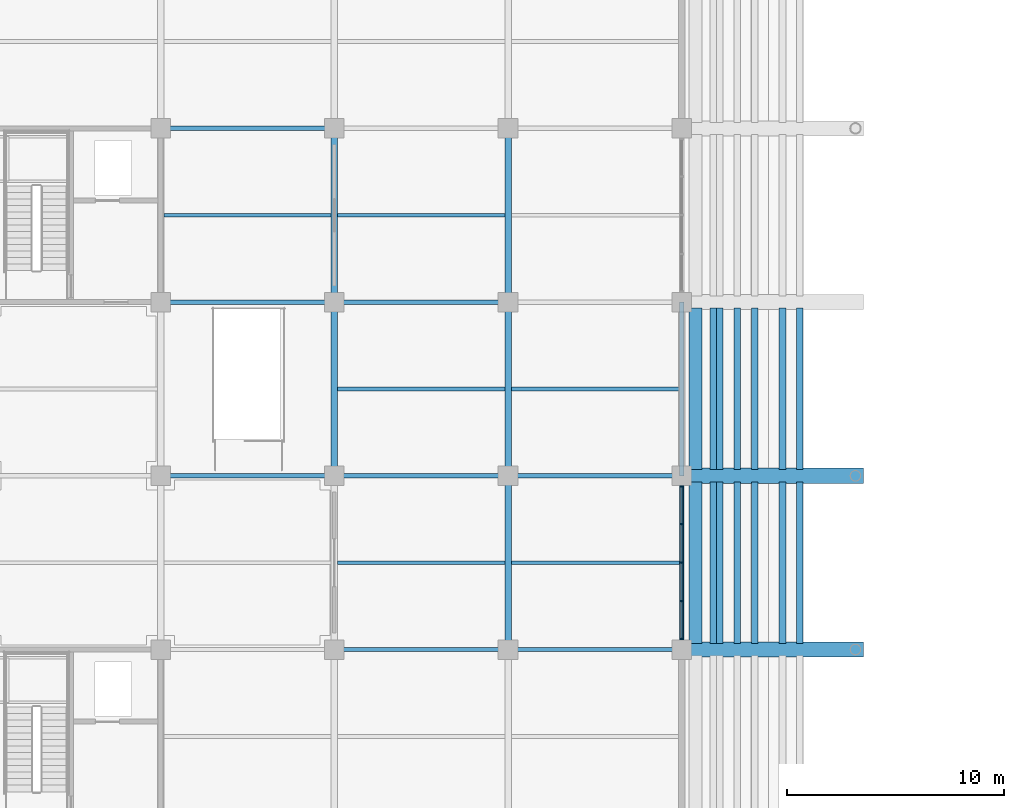
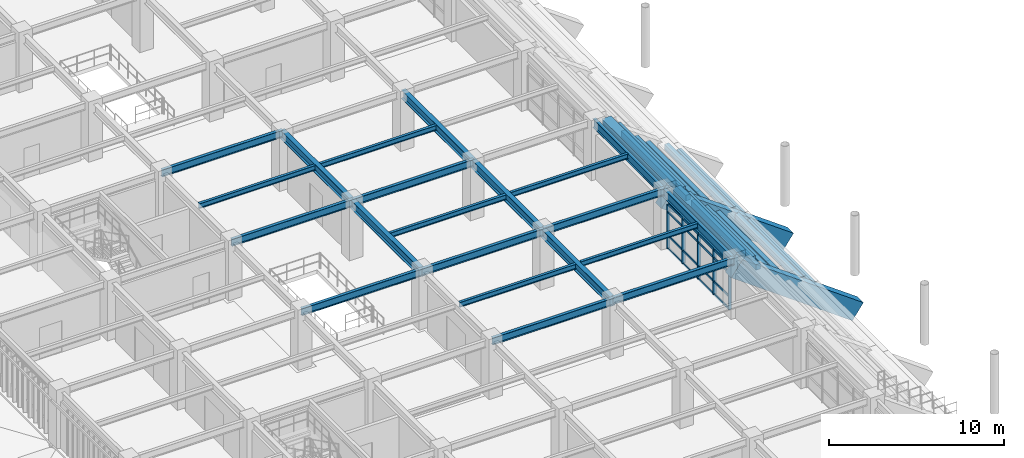
# One storey, part 27 of 118: 37 beams, 21 members, 1 element without a shape of its own.
"""IFC4 building model written with IfcOpenShell, lengths in metres."""

from ifc_helpers import new_model, si_unit, direction, frame, origin, origin_2d, place, context, subcontext, project, spatial, rectangle, i_section, extrude, material, layer, layer_set, material_profile, profile_set, type_object, element, aggregate, save


model = new_model("IFC4")

# Units and contexts
model_context = context("Model", 3, precision=1e-05, world=origin(), true_north=direction((0.0, 1.0)))
body_context = subcontext(model_context, "Body", "Model", "MODEL_VIEW")
ifc_project = project(units=[si_unit("LENGTHUNIT", "METRE"), si_unit("AREAUNIT", "SQUARE_METRE"), si_unit("VOLUMEUNIT", "CUBIC_METRE"), si_unit("PLANEANGLEUNIT", "RADIAN"), si_unit("MASSUNIT", "GRAM", prefix="KILO")], contexts=[model_context])

# Site, building, storey
site_placement = place(None, origin())
site = spatial("IfcSite", under=ifc_project, at=site_placement, CompositionType="ELEMENT")
building_placement = place(site_placement, origin())
building = spatial("IfcBuilding", under=site, at=building_placement, Name="Haebicheon Civic Stadium", CompositionType="ELEMENT")
storey_placement = place(building_placement, frame((0.0, 0.0, 14.39990234375)))
storey = spatial("IfcBuildingStorey", under=building, at=storey_placement, Name="L04", CompositionType="ELEMENT", Elevation=14.39990234375)

# Beams
ifc_material_1 = material(Name="Precast concrete C40/50", Category="concrete")
ifc_material_profile_1 = material_profile(ifc_material_1, rectangle(XDim=0.300048828125, YDim=0.39990234375, at=origin_2d()), Name="PC-LN-300x400")
ifc_profile_set_1 = profile_set([ifc_material_profile_1], Name="Precast concrete C40/50")
beam_type_1 = type_object("IfcBeamType", Name="BM-LN-300x400", PredefinedType="LINTEL", material=ifc_profile_set_1)
for number, where, z_axis, x_axis, name in (
    (1, (69.43994140625, 64.280029296875, -0.10693359375), (0.0, 1.0, 0.0), (-1.0, 0.0, 0.0), "TIER-W-U precast step carrier beam 3.4"),
    (2, (68.639892578125, 64.280029296875, 0.5380859375), (0.0, 1.0, 0.0), (-1.0, 0.0, 0.0), "TIER-W-U precast step carrier beam 3.5"),
    (3, (67.360107421875, 64.280029296875, 1.18212890625), (0.0, 1.0, 0.0), (-1.0, 0.0, 0.0), "TIER-W-U precast step carrier beam 3.6"),
    (4, (66.56005859375, 64.280029296875, 1.8271484375), (0.0, 1.0, 0.0), (-1.0, 0.0, 0.0), "TIER-W-U precast step carrier beam 3.7"),
    (5, (65.760009765625, 64.280029296875, 2.47119140625), (0.0, 1.0, 0.0), (-1.0, 0.0, 0.0), "TIER-W-U precast step carrier beam 3.8"),
    (6, (65.43994140625, 64.280029296875, 3.1162109375), (0.0, 1.0, 0.0), (-1.0, 0.0, 0.0), "TIER-W-U precast step carrier beam 3.9"),
    (7, (69.43994140625, 72.280029296875, -0.10693359375), (0.0, 1.0, 0.0), (-1.0, 0.0, 0.0), "TIER-W-U precast step carrier beam 4.4"),
    (8, (68.639892578125, 72.280029296875, 0.5380859375), (0.0, 1.0, 0.0), (-1.0, 0.0, 0.0), "TIER-W-U precast step carrier beam 4.5"),
    (9, (67.360107421875, 72.280029296875, 1.18212890625), (0.0, 1.0, 0.0), (-1.0, 0.0, 0.0), "TIER-W-U precast step carrier beam 4.6"),
    (10, (66.56005859375, 72.280029296875, 1.8271484375), (0.0, 1.0, 0.0), (-1.0, 0.0, 0.0), "TIER-W-U precast step carrier beam 4.7"),
    (11, (65.760009765625, 72.280029296875, 2.47119140625), (0.0, 1.0, 0.0), (-1.0, 0.0, 0.0), "TIER-W-U precast step carrier beam 4.8"),
    (12, (65.43994140625, 72.280029296875, 3.1162109375), (0.0, 1.0, 0.0), (-1.0, 0.0, 0.0), "TIER-W-U precast step carrier beam 4.9"),
):
    element("IfcBeam", number, at=place(storey_placement, frame(where, z_axis=z_axis, x_axis=x_axis)), inside=storey, type_object=beam_type_1, material=ifc_profile_set_1, Name=name, PredefinedType="LINTEL", context=body_context, shape_type="SweptSolid", body=[
        extrude(rectangle(XDim=0.300048828125, YDim=0.39990234375, at=origin_2d()), origin(), (0.0, 0.0, 1.0), 7.43994140625),
    ])
ifc_material_2 = material(Name="Steel SM355 (S355)", Category="steel")
ifc_material_profile_2 = material_profile(ifc_material_2, i_section(OverallWidth=0.199951171875, OverallDepth=0.5, WebThickness=0.010009765625, FlangeThickness=0.01611328125, at=origin_2d()), Name="H-500x200x10x16")
ifc_profile_set_2 = profile_set([ifc_material_profile_2], Name="Steel SM355 (S355)")
beam_type_2 = type_object("IfcBeamType", Name="BM-ST-H500", PredefinedType="BEAM", material=ifc_profile_set_2)
for number, where, z_axis, x_axis, name in (
    (13, (40.0, 72.0, 3.690185546875), (1.0, 0.0, 0.0), (0.0, 1.0, 0.0), "L04 beam K/6-7"),
    (14, (40.0, 80.0, 3.690185546875), (1.0, 0.0, 0.0), (0.0, 1.0, 0.0), "L04 beam L/6-7"),
    (15, (40.0, 88.0, 3.690185546875), (1.0, 0.0, 0.0), (0.0, 1.0, 0.0), "L04 beam M/6-7"),
    (16, (48.0, 64.0, 3.690185546875), (1.0, 0.0, 0.0), (0.0, 1.0, 0.0), "L04 beam J/7-8"),
    (17, (48.0, 72.0, 3.690185546875), (1.0, 0.0, 0.0), (0.0, 1.0, 0.0), "L04 beam K/7-8"),
    (18, (48.0, 80.0, 3.690185546875), (1.0, 0.0, 0.0), (0.0, 1.0, 0.0), "L04 beam L/7-8"),
    (19, (56.0, 64.0, 3.72998046875), (1.0, 0.0, 0.0), (0.0, 1.0, 0.0), "L04 beam J/8-9"),
    (20, (56.0, 72.0, 3.72998046875), (1.0, 0.0, 0.0), (0.0, 1.0, 0.0), "L04 beam K/8-9"),
):
    element("IfcBeam", number, at=place(storey_placement, frame(where, z_axis=z_axis, x_axis=x_axis)), inside=storey, type_object=beam_type_2, material=ifc_profile_set_2, Name=name, PredefinedType="BEAM", context=body_context, shape_type="SweptSolid", body=[
        extrude(i_section(OverallWidth=0.199951171875, OverallDepth=0.5, WebThickness=0.010009765625, FlangeThickness=0.01611328125, at=origin_2d()), origin(), (0.0, 0.0, 1.0), 8.0),
    ])
ifc_material_3 = material(Name="Steel SM355 (S355)", Category="steel")
ifc_material_profile_3 = material_profile(ifc_material_3, i_section(OverallWidth=0.300048828125, OverallDepth=0.60009765625, WebThickness=0.011962890625, FlangeThickness=0.02001953125, at=origin_2d()), Name="H-600x300x12x20")
ifc_profile_set_3 = profile_set([ifc_material_profile_3], Name="Steel SM355 (S355)")
beam_type_3 = type_object("IfcBeamType", Name="BM-ST-H600A", PredefinedType="BEAM", material=ifc_profile_set_3)
for number, where, z_axis, x_axis, name in (
    (21, (48.0, 72.0, 3.64013671875), (0.0, 1.0, 0.0), (-1.0, 0.0, 0.0), "L04 girder 7/K-L"),
    (22, (48.0, 80.0, 3.64013671875), (0.0, 1.0, 0.0), (-1.0, 0.0, 0.0), "L04 girder 7/L-M"),
    (23, (56.0, 64.0, 3.64013671875), (0.0, 1.0, 0.0), (-1.0, 0.0, 0.0), "L04 girder 8/J-K"),
    (24, (56.0, 72.0, 3.64013671875), (0.0, 1.0, 0.0), (-1.0, 0.0, 0.0), "L04 girder 8/K-L"),
    (25, (56.0, 80.0, 3.64013671875), (0.0, 1.0, 0.0), (-1.0, 0.0, 0.0), "L04 girder 8/L-M"),
):
    element("IfcBeam", number, at=place(storey_placement, frame(where, z_axis=z_axis, x_axis=x_axis)), inside=storey, type_object=beam_type_3, material=ifc_profile_set_3, Name=name, PredefinedType="BEAM", context=body_context, shape_type="SweptSolid", body=[
        extrude(i_section(OverallWidth=0.300048828125, OverallDepth=0.60009765625, WebThickness=0.011962890625, FlangeThickness=0.02001953125, at=origin_2d()), origin(), (0.0, 0.0, 1.0), 8.0),
    ])
ifc_material_4 = material(Name="Precast concrete C40/50", Category="concrete")
ifc_material_profile_4 = material_profile(ifc_material_4, rectangle(XDim=0.60009765625, YDim=0.85009765625, at=origin_2d()), Name="PC-TB-600x850")
ifc_profile_set_4 = profile_set([ifc_material_profile_4], Name="Precast concrete C40/50")
beam_type_4 = type_object("IfcBeamType", Name="BM-TB-600x850", PredefinedType="T_BEAM", material=ifc_profile_set_4)
for number, where, z_axis, x_axis, name in (
    (26, (64.639892578125, 64.280029296875, 3.53515625), (0.0, 1.0, 0.0), (-1.0, 0.0, 0.0), "TIER-W-U upper tier bench carrier beam 3"),
    (27, (64.639892578125, 72.280029296875, 3.53515625), (0.0, 1.0, 0.0), (-1.0, 0.0, 0.0), "TIER-W-U upper tier bench carrier beam 4"),
):
    element("IfcBeam", number, at=place(storey_placement, frame(where, z_axis=z_axis, x_axis=x_axis)), inside=storey, type_object=beam_type_4, material=ifc_profile_set_4, Name=name, PredefinedType="T_BEAM", context=body_context, shape_type="SweptSolid", body=[
        extrude(rectangle(XDim=0.60009765625, YDim=0.85009765625, at=origin_2d()), origin(), (0.0, 0.0, 1.0), 7.43994140625),
    ])

# Curtain wall, members
ifc_material_5 = material(Name="Anodised aluminium and laminated glass", Category="aluminium")
ifc_layer = layer(ifc_material_5, 0.179931640625, Name="Anodised aluminium and laminated glass")
ifc_layer_set = layer_set([ifc_layer], Name="Anodised aluminium and laminated glass")
curtain_wall_type = type_object("IfcCurtainWallType", Name="CW-7100x3100", PredefinedType="NOTDEFINED", material=ifc_layer_set)
curtain_wall_placement = place(storey_placement, origin())
curtain_wall = element("IfcCurtainWall", 28, at=curtain_wall_placement, inside=storey, type_object=curtain_wall_type, material=ifc_layer_set, Name="L04 unitised curtain wall 118", PredefinedType="NOTDEFINED")
ifc_material_6 = material(Name="Anodised aluminium 6063-T6", Category="aluminium")
ifc_material_profile_5 = material_profile(ifc_material_6, rectangle(XDim=0.070068359375, YDim=0.199951171875, at=origin_2d()), Name="ALU-MULL-70x200")
ifc_profile_set_5 = profile_set([ifc_material_profile_5], Name="Anodised aluminium 6063-T6")
member_type_1 = type_object("IfcMemberType", Name="CWM-200x70", PredefinedType="MULLION", material=ifc_profile_set_5)
member_1_placement = place(storey_placement, frame((64.0, 64.485107421875, 0.0), z_axis=(0.0, 0.0, 1.0), x_axis=(0.0, 1.0, 0.0)))
member_1 = element("IfcMember", 29, at=member_1_placement, type_object=member_type_1, material=ifc_profile_set_5, Name="CW-L04-118 vertical mullion 1", PredefinedType="MULLION", context=body_context, shape_type="SweptSolid", body=[
    extrude(rectangle(XDim=0.070068359375, YDim=0.199951171875, at=origin_2d()), origin(), (0.0, 0.0, 1.0), 3.10009765625),
])
member_2_placement = place(storey_placement, frame((64.0, 66.22509765625, 0.0), z_axis=(0.0, 0.0, 1.0), x_axis=(0.0, 1.0, 0.0)))
member_2 = element("IfcMember", 30, at=member_2_placement, type_object=member_type_1, material=ifc_profile_set_5, Name="CW-L04-118 vertical mullion 2", PredefinedType="MULLION", context=body_context, shape_type="SweptSolid", body=[
    extrude(rectangle(XDim=0.070068359375, YDim=0.199951171875, at=origin_2d()), origin(), (0.0, 0.0, 1.0), 3.10009765625),
])
member_3_placement = place(storey_placement, frame((64.0, 68.0, 0.0), z_axis=(0.0, 0.0, 1.0), x_axis=(0.0, 1.0, 0.0)))
member_3 = element("IfcMember", 31, at=member_3_placement, type_object=member_type_1, material=ifc_profile_set_5, Name="CW-L04-118 vertical mullion 3", PredefinedType="MULLION", context=body_context, shape_type="SweptSolid", body=[
    extrude(rectangle(XDim=0.070068359375, YDim=0.199951171875, at=origin_2d()), origin(), (0.0, 0.0, 1.0), 3.10009765625),
])
member_4_placement = place(storey_placement, frame((64.0, 69.77490234375, 0.0), z_axis=(0.0, 0.0, 1.0), x_axis=(0.0, 1.0, 0.0)))
member_4 = element("IfcMember", 32, at=member_4_placement, type_object=member_type_1, material=ifc_profile_set_5, Name="CW-L04-118 vertical mullion 4", PredefinedType="MULLION", context=body_context, shape_type="SweptSolid", body=[
    extrude(rectangle(XDim=0.070068359375, YDim=0.199951171875, at=origin_2d()), origin(), (0.0, 0.0, 1.0), 3.10009765625),
])
member_5_placement = place(storey_placement, frame((64.0, 71.514892578125, 0.0), z_axis=(0.0, 0.0, 1.0), x_axis=(0.0, 1.0, 0.0)))
member_5 = element("IfcMember", 33, at=member_5_placement, type_object=member_type_1, material=ifc_profile_set_5, Name="CW-L04-118 vertical mullion 5", PredefinedType="MULLION", context=body_context, shape_type="SweptSolid", body=[
    extrude(rectangle(XDim=0.070068359375, YDim=0.199951171875, at=origin_2d()), origin(), (0.0, 0.0, 1.0), 3.10009765625),
])
ifc_material_7 = material(Name="Anodised aluminium 6063-T6", Category="aluminium")
ifc_material_profile_6 = material_profile(ifc_material_7, rectangle(XDim=0.070068359375, YDim=0.14990234375, at=origin_2d()), Name="ALU-TRAN-70x150")
ifc_profile_set_6 = profile_set([ifc_material_profile_6], Name="Anodised aluminium 6063-T6")
member_type_2 = type_object("IfcMemberType", Name="CWT-150x70", PredefinedType="NOTDEFINED", material=ifc_profile_set_6)
member_6_placement = place(storey_placement, frame((64.0, 64.52001953125, 0.0), z_axis=(0.0, 1.0, 0.0), x_axis=(-1.0, 0.0, 0.0)))
member_6 = element("IfcMember", 34, at=member_6_placement, type_object=member_type_2, material=ifc_profile_set_6, Name="CW-L04-118 horizontal transom 1.1", ObjectType="TRANSOM", PredefinedType="USERDEFINED", context=body_context, shape_type="SweptSolid", body=[
    extrude(rectangle(XDim=0.070068359375, YDim=0.14990234375, at=origin_2d()), origin(), (0.0, 0.0, 1.0), 1.669921875),
])
member_7_placement = place(storey_placement, frame((64.0, 64.52001953125, 0.900146484375), z_axis=(0.0, 1.0, 0.0), x_axis=(-1.0, 0.0, 0.0)))
member_7 = element("IfcMember", 35, at=member_7_placement, type_object=member_type_2, material=ifc_profile_set_6, Name="CW-L04-118 horizontal transom 1.2", ObjectType="TRANSOM", PredefinedType="USERDEFINED", context=body_context, shape_type="SweptSolid", body=[
    extrude(rectangle(XDim=0.070068359375, YDim=0.14990234375, at=origin_2d()), origin(), (0.0, 0.0, 1.0), 1.669921875),
])
member_8_placement = place(storey_placement, frame((64.0, 64.52001953125, 2.550048828125), z_axis=(0.0, 1.0, 0.0), x_axis=(-1.0, 0.0, 0.0)))
member_8 = element("IfcMember", 36, at=member_8_placement, type_object=member_type_2, material=ifc_profile_set_6, Name="CW-L04-118 horizontal transom 1.3", ObjectType="TRANSOM", PredefinedType="USERDEFINED", context=body_context, shape_type="SweptSolid", body=[
    extrude(rectangle(XDim=0.070068359375, YDim=0.14990234375, at=origin_2d()), origin(), (0.0, 0.0, 1.0), 1.669921875),
])
member_9_placement = place(storey_placement, frame((64.0, 64.52001953125, 3.10009765625), z_axis=(0.0, 1.0, 0.0), x_axis=(-1.0, 0.0, 0.0)))
member_9 = element("IfcMember", 37, at=member_9_placement, type_object=member_type_2, material=ifc_profile_set_6, Name="CW-L04-118 horizontal transom 1.4", ObjectType="TRANSOM", PredefinedType="USERDEFINED", context=body_context, shape_type="SweptSolid", body=[
    extrude(rectangle(XDim=0.070068359375, YDim=0.14990234375, at=origin_2d()), origin(), (0.0, 0.0, 1.0), 1.669921875),
])
member_10_placement = place(storey_placement, frame((64.0, 66.260009765625, 0.0), z_axis=(0.0, 1.0, 0.0), x_axis=(-1.0, 0.0, 0.0)))
member_10 = element("IfcMember", 38, at=member_10_placement, type_object=member_type_2, material=ifc_profile_set_6, Name="CW-L04-118 horizontal transom 2.1", ObjectType="TRANSOM", PredefinedType="USERDEFINED", context=body_context, shape_type="SweptSolid", body=[
    extrude(rectangle(XDim=0.070068359375, YDim=0.14990234375, at=origin_2d()), origin(), (0.0, 0.0, 1.0), 1.705078125),
])
member_11_placement = place(storey_placement, frame((64.0, 66.260009765625, 0.900146484375), z_axis=(0.0, 1.0, 0.0), x_axis=(-1.0, 0.0, 0.0)))
member_11 = element("IfcMember", 39, at=member_11_placement, type_object=member_type_2, material=ifc_profile_set_6, Name="CW-L04-118 horizontal transom 2.2", ObjectType="TRANSOM", PredefinedType="USERDEFINED", context=body_context, shape_type="SweptSolid", body=[
    extrude(rectangle(XDim=0.070068359375, YDim=0.14990234375, at=origin_2d()), origin(), (0.0, 0.0, 1.0), 1.705078125),
])
member_12_placement = place(storey_placement, frame((64.0, 66.260009765625, 2.550048828125), z_axis=(0.0, 1.0, 0.0), x_axis=(-1.0, 0.0, 0.0)))
member_12 = element("IfcMember", 40, at=member_12_placement, type_object=member_type_2, material=ifc_profile_set_6, Name="CW-L04-118 horizontal transom 2.3", ObjectType="TRANSOM", PredefinedType="USERDEFINED", context=body_context, shape_type="SweptSolid", body=[
    extrude(rectangle(XDim=0.070068359375, YDim=0.14990234375, at=origin_2d()), origin(), (0.0, 0.0, 1.0), 1.705078125),
])
member_13_placement = place(storey_placement, frame((64.0, 66.260009765625, 3.10009765625), z_axis=(0.0, 1.0, 0.0), x_axis=(-1.0, 0.0, 0.0)))
member_13 = element("IfcMember", 41, at=member_13_placement, type_object=member_type_2, material=ifc_profile_set_6, Name="CW-L04-118 horizontal transom 2.4", ObjectType="TRANSOM", PredefinedType="USERDEFINED", context=body_context, shape_type="SweptSolid", body=[
    extrude(rectangle(XDim=0.070068359375, YDim=0.14990234375, at=origin_2d()), origin(), (0.0, 0.0, 1.0), 1.705078125),
])
member_14_placement = place(storey_placement, frame((64.0, 68.034912109375, 0.0), z_axis=(0.0, 1.0, 0.0), x_axis=(-1.0, 0.0, 0.0)))
member_14 = element("IfcMember", 42, at=member_14_placement, type_object=member_type_2, material=ifc_profile_set_6, Name="CW-L04-118 horizontal transom 3.1", ObjectType="TRANSOM", PredefinedType="USERDEFINED", context=body_context, shape_type="SweptSolid", body=[
    extrude(rectangle(XDim=0.070068359375, YDim=0.14990234375, at=origin_2d()), origin(), (0.0, 0.0, 1.0), 1.705078125),
])
member_15_placement = place(storey_placement, frame((64.0, 68.034912109375, 0.900146484375), z_axis=(0.0, 1.0, 0.0), x_axis=(-1.0, 0.0, 0.0)))
member_15 = element("IfcMember", 43, at=member_15_placement, type_object=member_type_2, material=ifc_profile_set_6, Name="CW-L04-118 horizontal transom 3.2", ObjectType="TRANSOM", PredefinedType="USERDEFINED", context=body_context, shape_type="SweptSolid", body=[
    extrude(rectangle(XDim=0.070068359375, YDim=0.14990234375, at=origin_2d()), origin(), (0.0, 0.0, 1.0), 1.705078125),
])
member_16_placement = place(storey_placement, frame((64.0, 68.034912109375, 2.550048828125), z_axis=(0.0, 1.0, 0.0), x_axis=(-1.0, 0.0, 0.0)))
member_16 = element("IfcMember", 44, at=member_16_placement, type_object=member_type_2, material=ifc_profile_set_6, Name="CW-L04-118 horizontal transom 3.3", ObjectType="TRANSOM", PredefinedType="USERDEFINED", context=body_context, shape_type="SweptSolid", body=[
    extrude(rectangle(XDim=0.070068359375, YDim=0.14990234375, at=origin_2d()), origin(), (0.0, 0.0, 1.0), 1.705078125),
])
member_17_placement = place(storey_placement, frame((64.0, 68.034912109375, 3.10009765625), z_axis=(0.0, 1.0, 0.0), x_axis=(-1.0, 0.0, 0.0)))
member_17 = element("IfcMember", 45, at=member_17_placement, type_object=member_type_2, material=ifc_profile_set_6, Name="CW-L04-118 horizontal transom 3.4", ObjectType="TRANSOM", PredefinedType="USERDEFINED", context=body_context, shape_type="SweptSolid", body=[
    extrude(rectangle(XDim=0.070068359375, YDim=0.14990234375, at=origin_2d()), origin(), (0.0, 0.0, 1.0), 1.705078125),
])
member_18_placement = place(storey_placement, frame((64.0, 69.81005859375, 0.0), z_axis=(0.0, 1.0, 0.0), x_axis=(-1.0, 0.0, 0.0)))
member_18 = element("IfcMember", 46, at=member_18_placement, type_object=member_type_2, material=ifc_profile_set_6, Name="CW-L04-118 horizontal transom 4.1", ObjectType="TRANSOM", PredefinedType="USERDEFINED", context=body_context, shape_type="SweptSolid", body=[
    extrude(rectangle(XDim=0.070068359375, YDim=0.14990234375, at=origin_2d()), origin(), (0.0, 0.0, 1.0), 1.669921875),
])
member_19_placement = place(storey_placement, frame((64.0, 69.81005859375, 0.900146484375), z_axis=(0.0, 1.0, 0.0), x_axis=(-1.0, 0.0, 0.0)))
member_19 = element("IfcMember", 47, at=member_19_placement, type_object=member_type_2, material=ifc_profile_set_6, Name="CW-L04-118 horizontal transom 4.2", ObjectType="TRANSOM", PredefinedType="USERDEFINED", context=body_context, shape_type="SweptSolid", body=[
    extrude(rectangle(XDim=0.070068359375, YDim=0.14990234375, at=origin_2d()), origin(), (0.0, 0.0, 1.0), 1.669921875),
])
member_20_placement = place(storey_placement, frame((64.0, 69.81005859375, 2.550048828125), z_axis=(0.0, 1.0, 0.0), x_axis=(-1.0, 0.0, 0.0)))
member_20 = element("IfcMember", 48, at=member_20_placement, type_object=member_type_2, material=ifc_profile_set_6, Name="CW-L04-118 horizontal transom 4.3", ObjectType="TRANSOM", PredefinedType="USERDEFINED", context=body_context, shape_type="SweptSolid", body=[
    extrude(rectangle(XDim=0.070068359375, YDim=0.14990234375, at=origin_2d()), origin(), (0.0, 0.0, 1.0), 1.669921875),
])
member_21_placement = place(storey_placement, frame((64.0, 69.81005859375, 3.10009765625), z_axis=(0.0, 1.0, 0.0), x_axis=(-1.0, 0.0, 0.0)))
member_21 = element("IfcMember", 49, at=member_21_placement, type_object=member_type_2, material=ifc_profile_set_6, Name="CW-L04-118 horizontal transom 4.4", ObjectType="TRANSOM", PredefinedType="USERDEFINED", context=body_context, shape_type="SweptSolid", body=[
    extrude(rectangle(XDim=0.070068359375, YDim=0.14990234375, at=origin_2d()), origin(), (0.0, 0.0, 1.0), 1.669921875),
])
aggregate(curtain_wall, [member_1, member_2, member_3, member_4, member_5, member_6, member_7, member_8, member_9, member_10, member_11, member_12, member_13, member_14, member_15, member_16, member_17, member_18, member_19, member_20, member_21])

# Beams
ifc_material_8 = material(Name="Steel SM355 (S355)", Category="steel")
ifc_material_profile_7 = material_profile(ifc_material_8, i_section(OverallWidth=0.175048828125, OverallDepth=0.35009765625, WebThickness=0.007080078125, FlangeThickness=0.010986328125, at=origin_2d()), Name="H-350x175x7x11")
ifc_profile_set_7 = profile_set([ifc_material_profile_7], Name="Steel SM355 (S355)")
beam_type_5 = type_object("IfcBeamType", Name="JST-ST-H350", PredefinedType="JOIST", material=ifc_profile_set_7)
for number, where, z_axis, x_axis, name in (
    (50, (40.14990234375, 84.0, 3.76513671875), (1.0, 0.0, 0.0), (0.0, 1.0, 0.0), "L04 secondary joist 05-10"),
    (51, (48.14990234375, 68.0, 3.76513671875), (1.0, 0.0, 0.0), (0.0, 1.0, 0.0), "L04 secondary joist 06-08"),
    (52, (48.14990234375, 76.0, 3.76513671875), (1.0, 0.0, 0.0), (0.0, 1.0, 0.0), "L04 secondary joist 06-09"),
    (53, (48.14990234375, 84.0, 3.76513671875), (1.0, 0.0, 0.0), (0.0, 1.0, 0.0), "L04 secondary joist 06-10"),
):
    element("IfcBeam", number, at=place(storey_placement, frame(where, z_axis=z_axis, x_axis=x_axis)), inside=storey, type_object=beam_type_5, material=ifc_profile_set_7, Name=name, PredefinedType="JOIST", context=body_context, shape_type="SweptSolid", body=[
        extrude(i_section(OverallWidth=0.175048828125, OverallDepth=0.35009765625, WebThickness=0.007080078125, FlangeThickness=0.010986328125, at=origin_2d()), origin(), (0.0, 0.0, 1.0), 7.7001953125),
    ])
for number, where, z_axis, x_axis, name in (
    (54, (56.14990234375, 68.0, 3.80517578125), (1.0, 0.0, 0.0), (0.0, 1.0, 0.0), "L04 secondary joist 07-08"),
    (55, (56.14990234375, 76.0, 3.80517578125), (1.0, 0.0, 0.0), (0.0, 1.0, 0.0), "L04 secondary joist 07-09"),
):
    element("IfcBeam", number, at=place(storey_placement, frame(where, z_axis=z_axis, x_axis=x_axis)), inside=storey, type_object=beam_type_5, material=ifc_profile_set_7, Name=name, PredefinedType="JOIST", context=body_context, shape_type="SweptSolid", body=[
        extrude(i_section(OverallWidth=0.175048828125, OverallDepth=0.35009765625, WebThickness=0.007080078125, FlangeThickness=0.010986328125, at=origin_2d()), origin(), (0.0, 0.0, 1.0), 7.75),
    ])
ifc_material_9 = material(Name="Precast concrete C40/50", Category="concrete")
ifc_material_profile_8 = material_profile(ifc_material_9, rectangle(XDim=0.699951171875, YDim=1.25, at=origin_2d()), Name="PC-RK-700x1250")
ifc_profile_set_8 = profile_set([ifc_material_profile_8], Name="Precast concrete C40/50")
beam_type_6 = type_object("IfcBeamType", Name="RK-PC-700x1250", PredefinedType="USERDEFINED", material=ifc_profile_set_8)
for number, where, z_axis, x_axis, name in (
    (56, (72.0, 64.0, -2.46484375), (-0.809608095134, 0.0, 0.586970810428), (0.0, -1.0, 0.0), "TIER-W-U inclined precast raker beam 3"),
    (57, (72.0, 72.0, -2.46484375), (-0.809608095134, 0.0, 0.586970810428), (0.0, -1.0, 0.0), "TIER-W-U inclined precast raker beam 4"),
):
    element("IfcBeam", number, at=place(storey_placement, frame(where, z_axis=z_axis, x_axis=x_axis)), inside=storey, type_object=beam_type_6, material=ifc_profile_set_8, Name=name, ObjectType="RAKER BEAM", PredefinedType="USERDEFINED", context=body_context, shape_type="SweptSolid", body=[
        extrude(rectangle(XDim=0.699951171875, YDim=1.25, at=origin_2d()), origin(), (0.0, 0.0, 1.0), 9.88134765625),
    ])
ifc_material_10 = material(Name="Steel SM355 (S355)", Category="steel")
ifc_material_profile_9 = material_profile(ifc_material_10, i_section(OverallWidth=0.199951171875, OverallDepth=0.60009765625, WebThickness=0.010986328125, FlangeThickness=0.01708984375, at=origin_2d()), Name="H-600x200x11x17")
ifc_profile_set_9 = profile_set([ifc_material_profile_9], Name="Steel SM355 (S355)")
beam_type_7 = type_object("IfcBeamType", Name="SPD-ST-H600B", PredefinedType="SPANDREL", material=ifc_profile_set_9)
for number, where, z_axis, x_axis, name in (
    (58, (64.0, 64.0, 3.656005859375), (0.0, 1.0, 0.0), (-1.0, 0.0, 0.0), "L04 girder 9/J-K"),
    (59, (64.0, 72.0, 3.656005859375), (0.0, 1.0, 0.0), (-1.0, 0.0, 0.0), "L04 girder 9/K-L"),
):
    element("IfcBeam", number, at=place(storey_placement, frame(where, z_axis=z_axis, x_axis=x_axis)), inside=storey, type_object=beam_type_7, material=ifc_profile_set_9, Name=name, PredefinedType="SPANDREL", context=body_context, shape_type="SweptSolid", body=[
        extrude(i_section(OverallWidth=0.199951171875, OverallDepth=0.60009765625, WebThickness=0.010986328125, FlangeThickness=0.01708984375, at=origin_2d()), origin(), (0.0, 0.0, 1.0), 8.0),
    ])

save(model, "model.ifc")
